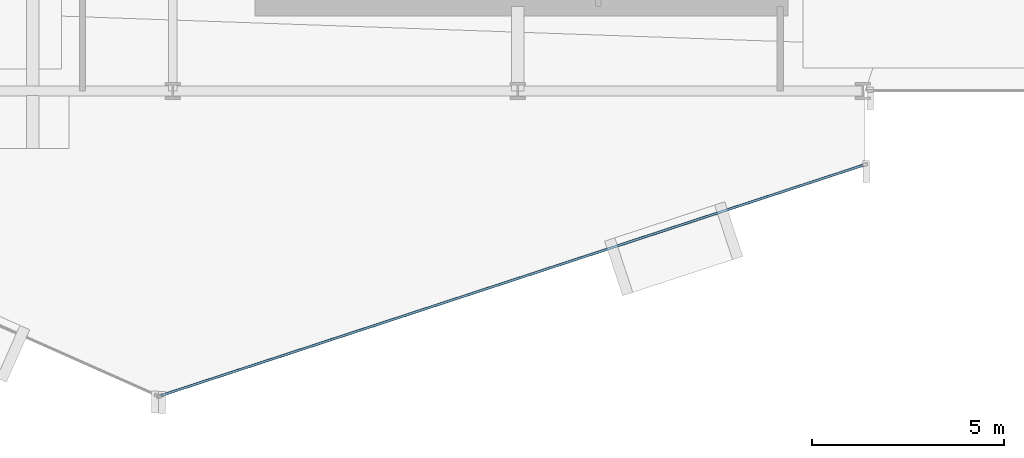
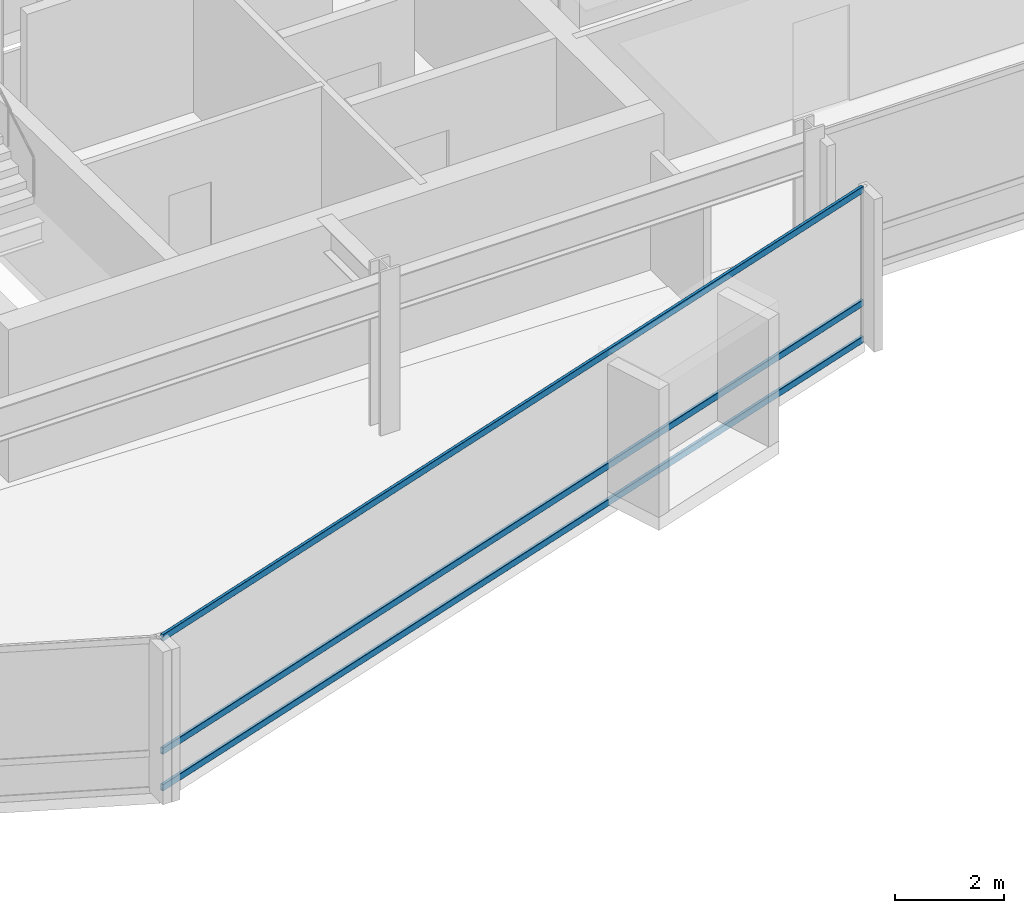
# One storey, part 9 of 29: 3 members, 1 element without a shape of its own.
"""IFC4 building model written with IfcOpenShell, lengths in metres."""

from ifc_helpers import new_model, si_unit, direction, frame, origin, origin_2d, place, context, subcontext, project, spatial, hollow_rectangle, extrude, material, layer, layer_set, material_profile, profile_set, type_object, element, aggregate, save


model = new_model("IFC4")

# Units and contexts
model_context = context("Model", 3, precision=1e-05, world=origin(), true_north=direction((0.0, 1.0)))
body_context = subcontext(model_context, "Body", "Model", "MODEL_VIEW")
ifc_project = project(units=[si_unit("LENGTHUNIT", "METRE"), si_unit("AREAUNIT", "SQUARE_METRE"), si_unit("VOLUMEUNIT", "CUBIC_METRE"), si_unit("PLANEANGLEUNIT", "RADIAN"), si_unit("MASSUNIT", "GRAM", prefix="KILO")], contexts=[model_context])

# Site, building, storey
site_placement = place(None, origin())
site = spatial("IfcSite", under=ifc_project, at=site_placement, CompositionType="ELEMENT")
building_placement = place(site_placement, origin())
building = spatial("IfcBuilding", under=site, at=building_placement, Name="Solvaryn Broadcast Tower", CompositionType="ELEMENT")
storey_placement = place(building_placement, frame((0.0, 0.0, 147.0)))
storey = spatial("IfcBuildingStorey", under=building, at=storey_placement, Name="L36", CompositionType="ELEMENT", Elevation=147.0)

# Curtain wall, members
ifc_material_1 = material(Name="Aluminium and Terracotta Unitised Curtain Wall", Category="masonry")
ifc_layer = layer(ifc_material_1, 0.199951171875)
ifc_layer_set = layer_set([ifc_layer], Name="CW-SYS2-LOWMID")
curtain_wall_type = type_object("IfcCurtainWallType", Name="CW-SYS2-LOWMID", PredefinedType="NOTDEFINED", material=ifc_layer_set)
curtain_wall_placement = place(storey_placement, origin())
curtain_wall = element("IfcCurtainWall", 1, at=curtain_wall_placement, inside=storey, type_object=curtain_wall_type, Name="L36 Curtain Wall DR4", PredefinedType="NOTDEFINED")
ifc_material_2 = material(Name="Anodised Aluminium 6063-T6", Category="aluminium")
ifc_material_profile = material_profile(ifc_material_2, hollow_rectangle(XDim=0.06494140625, YDim=0.14990234375, WallThickness=0.00390625, InnerFilletRadius=0.00390625, OuterFilletRadius=0.008056640625, at=origin_2d()))
ifc_profile_set = profile_set([ifc_material_profile], Name="Anodised Aluminium 6063-T6")
member_type = type_object("IfcMemberType", Name="CW-TRN-150", PredefinedType="USERDEFINED", material=ifc_profile_set)
member_1_placement = place(storey_placement, frame((26.693115234375, 1.052734375, 0.030029296875), z_axis=(0.950198373323, 0.31164571445, 0.0), x_axis=(-0.31164571445, 0.950198373323, 0.0)))
member_1 = element("IfcMember", 2, at=member_1_placement, type_object=member_type, Name="CWS2 transom 1.1", ObjectType="TRANSOM", PredefinedType="USERDEFINED", context=body_context, shape_type="SweptSolid", body=[
    extrude(hollow_rectangle(XDim=0.06494140625, YDim=0.14990234375, WallThickness=0.00390625, InnerFilletRadius=0.00390625, OuterFilletRadius=0.008056640625, at=origin_2d()), origin(), (0.0, 0.0, 1.0), 19.27685546875),
])
member_2_placement = place(storey_placement, frame((26.693115234375, 1.052734375, 0.85009765625), z_axis=(0.950198373323, 0.31164571445, 0.0), x_axis=(-0.31164571445, 0.950198373323, 0.0)))
member_2 = element("IfcMember", 3, at=member_2_placement, type_object=member_type, Name="CWS2 transom 1.2", ObjectType="TRANSOM", PredefinedType="USERDEFINED", context=body_context, shape_type="SweptSolid", body=[
    extrude(hollow_rectangle(XDim=0.06494140625, YDim=0.14990234375, WallThickness=0.00390625, InnerFilletRadius=0.00390625, OuterFilletRadius=0.008056640625, at=origin_2d()), origin(), (0.0, 0.0, 1.0), 19.27685546875),
])
member_3_placement = place(storey_placement, frame((26.693115234375, 1.052734375, 3.389892578125), z_axis=(0.950198373323, 0.31164571445, 0.0), x_axis=(-0.31164571445, 0.950198373323, 0.0)))
member_3 = element("IfcMember", 4, at=member_3_placement, type_object=member_type, Name="CWS2 transom 1.3", ObjectType="TRANSOM", PredefinedType="USERDEFINED", context=body_context, shape_type="SweptSolid", body=[
    extrude(hollow_rectangle(XDim=0.06494140625, YDim=0.14990234375, WallThickness=0.00390625, InnerFilletRadius=0.00390625, OuterFilletRadius=0.008056640625, at=origin_2d()), origin(), (0.0, 0.0, 1.0), 19.27685546875),
])
aggregate(curtain_wall, [member_1, member_2, member_3])

save(model, "model.ifc")
